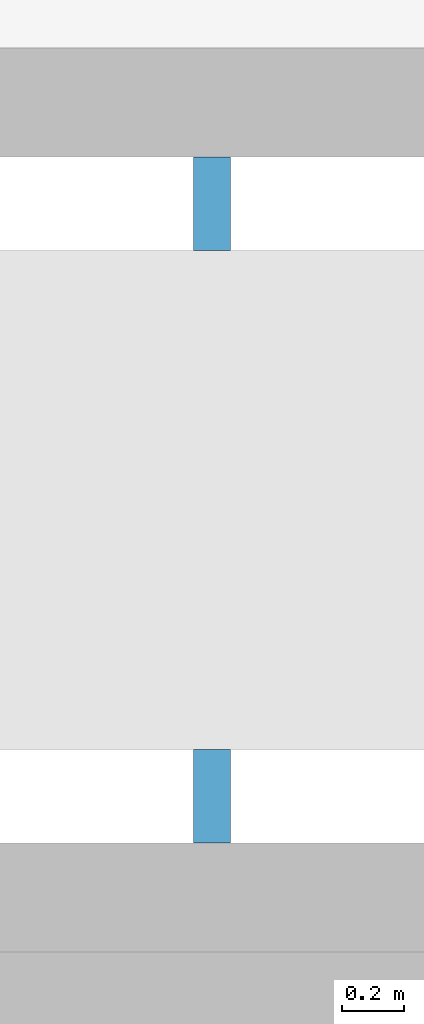
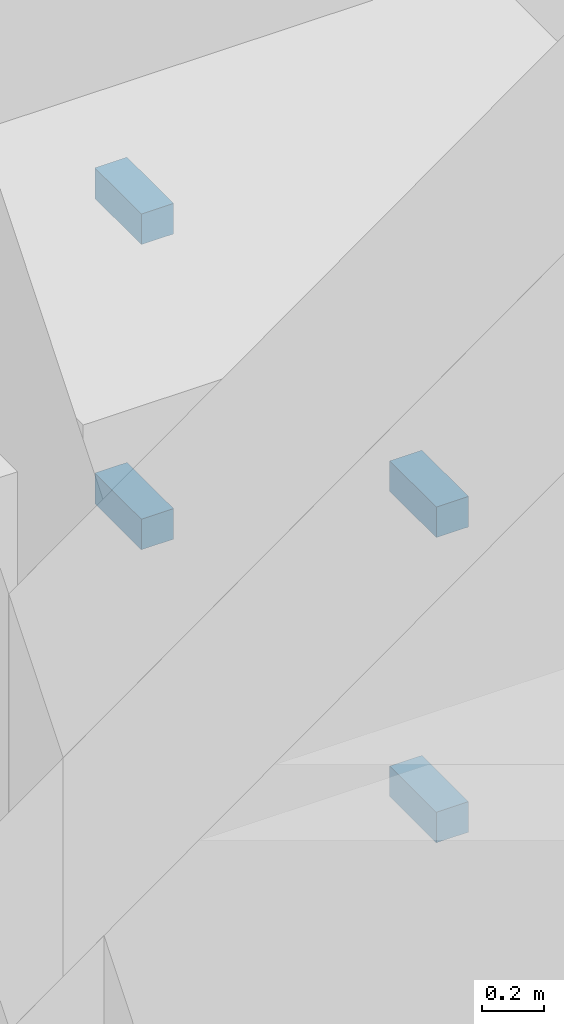
# One storey, part 28 of 45: 4 discrete accessories.
"""IFC4 building model written with IfcOpenShell, lengths in metres."""

from ifc_helpers import new_model, si_unit, direction, frame, origin, origin_2d, place, context, subcontext, project, spatial, rectangle, extrude, element, save


model = new_model("IFC4")

# Units and contexts
model_context = context("Model", 3, precision=1e-05, world=origin(), true_north=direction((0.0, 1.0)))
body_context = subcontext(model_context, "Body", "Model", "MODEL_VIEW")
ifc_project = project(units=[si_unit("LENGTHUNIT", "METRE"), si_unit("AREAUNIT", "SQUARE_METRE"), si_unit("VOLUMEUNIT", "CUBIC_METRE"), si_unit("PLANEANGLEUNIT", "RADIAN"), si_unit("MASSUNIT", "GRAM", prefix="KILO")], contexts=[model_context])

# Site, building, storey
site_placement = place(None, origin())
site = spatial("IfcSite", under=ifc_project, at=site_placement, CompositionType="ELEMENT")
building_placement = place(site_placement, origin())
building = spatial("IfcBuilding", under=site, at=building_placement, Name="Nzadi Deep Aquarium and Research Tower", CompositionType="ELEMENT")
storey_placement = place(building_placement, origin())
storey = spatial("IfcBuildingStorey", under=building, at=storey_placement, Name="G", CompositionType="ELEMENT", Elevation=0.0)

# Discrete accessories
for number, where, z_axis, x_axis, name in (
    (1, (55.25, 74.60009765625, 0.5400390625), (0.0, 0.0, 1.0), (1.0, 0.0, 0.0), "Guide rail bracket PL4"),
    (2, (55.25, 74.60009765625, 1.739990234375), (0.0, 0.0, 1.0), (1.0, 0.0, 0.0), "Guide rail bracket PL4"),
    (3, (55.25, 76.5, 0.5400390625), (0.0, 0.0, 1.0), (1.0, 0.0, 0.0), "Guide rail bracket PL4"),
    (4, (55.25, 76.5, 1.739990234375), (0.0, 0.0, 1.0), (1.0, 0.0, 0.0), "Guide rail bracket PL4"),
):
    element("IfcDiscreteAccessory", number, at=place(storey_placement, frame(where, z_axis=z_axis, x_axis=x_axis)), inside=storey, Name=name, PredefinedType="BRACKET", context=body_context, shape_type="SweptSolid", body=[
        extrude(rectangle(XDim=0.1201171875, YDim=0.300048828125, at=origin_2d()), origin(), (0.0, 0.0, 1.0), 0.1201171875),
    ])

save(model, "model.ifc")
